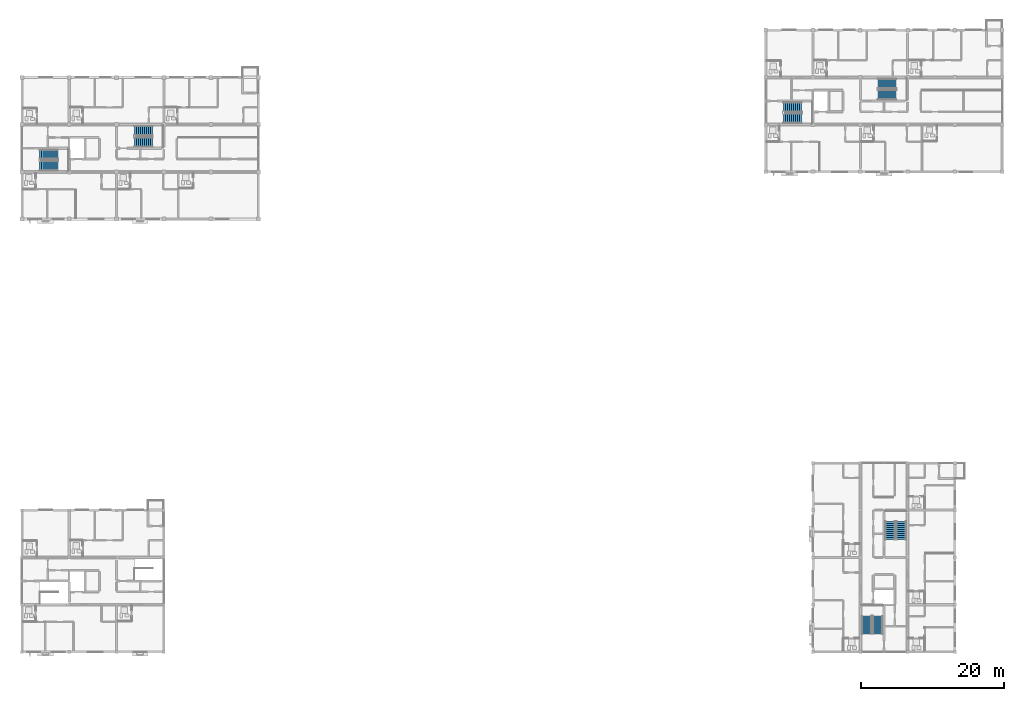
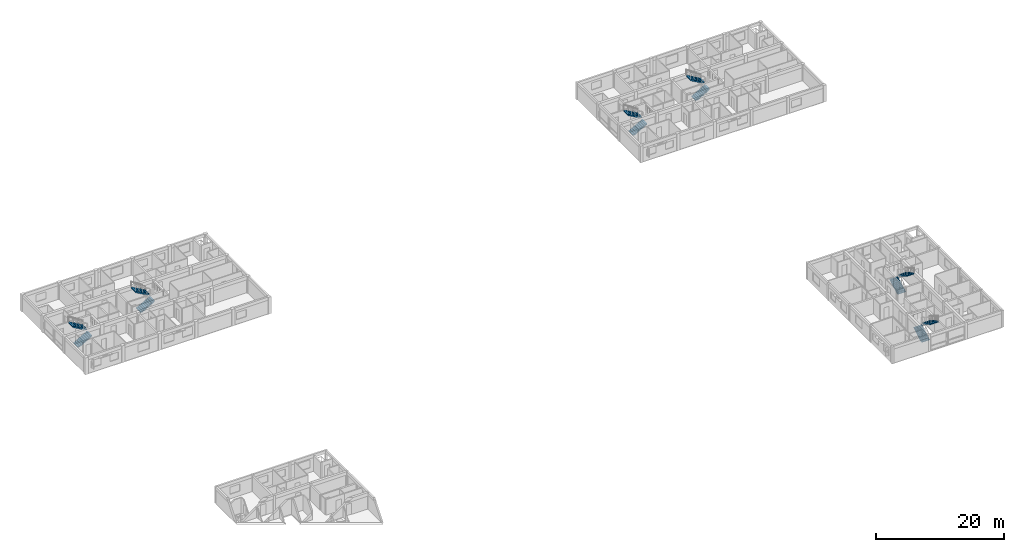
# One storey, part 39 of 49: 12 stair flights, 6 elements without a shape of their own.
"""IFC4 building model written with IfcOpenShell, lengths in metres."""

from ifc_helpers import new_model, si_unit, direction, frame, origin, place, context, subcontext, project, spatial, polyline, outline, extrude, material, type_object, element, aggregate, save


model = new_model("IFC4")

# Units and contexts
model_context = context("Model", 3, precision=1e-05, world=origin(), true_north=direction((0.0, 1.0)))
body_context = subcontext(model_context, "Body", "Model", "MODEL_VIEW")
ifc_project = project(units=[si_unit("LENGTHUNIT", "METRE"), si_unit("AREAUNIT", "SQUARE_METRE"), si_unit("VOLUMEUNIT", "CUBIC_METRE"), si_unit("PLANEANGLEUNIT", "RADIAN"), si_unit("MASSUNIT", "GRAM", prefix="KILO")], contexts=[model_context])

# Site, building, storey
site_placement = place(None, origin())
site = spatial("IfcSite", under=ifc_project, at=site_placement, CompositionType="ELEMENT")
building_placement = place(site_placement, origin())
building = spatial("IfcBuilding", under=site, at=building_placement, Name="Kernevlak Ridge Housing Community", CompositionType="ELEMENT")
storey_placement = place(building_placement, frame((0.0, 0.0, 30.800048828125)))
storey = spatial("IfcBuildingStorey", under=building, at=storey_placement, Name="L09", CompositionType="ELEMENT", Elevation=30.800048828125)

# Stair, stair flights
ifc_material = material(Name="Concrete C35/45", Category="concrete")
stair_type_1 = type_object("IfcStairType", Name="SR-01", PredefinedType="HALF_TURN_STAIR", material=ifc_material)
stair_1_placement = place(storey_placement, origin())
stair_1 = element("IfcStair", 1, at=stair_1_placement, inside=storey, type_object=stair_type_1, Name="Stair ST-B1 L09", PredefinedType="HALF_TURN_STAIR")
stair_flight_type_1 = type_object("IfcStairFlightType", Name="SF-01", PredefinedType="STRAIGHT", material=ifc_material)
stair_flight_1_placement = place(storey_placement, frame((121.8798828125, 90.06005859375, 0.0), z_axis=(0.0, 0.0, 1.0), x_axis=(1.0, 0.0, 0.0)))
stair_flight_1 = element("IfcStairFlight", 2, at=stair_flight_1_placement, type_object=stair_flight_type_1, Name="SR-01 flight 1", NumberOfRisers=10, NumberOfTreads=9, PredefinedType="STRAIGHT", RiserHeight=0.16, TreadLength=0.28, context=body_context, shape_type="SweptSolid", body=[
    extrude(outline(polyline([(0.0, 0.0), (0.0, 0.159912109375), (0.280029296875, 0.159912109375), (0.280029296875, 0.320068359375), (0.56005859375, 0.320068359375), (0.56005859375, 0.47998046875), (0.840087890625, 0.47998046875), (0.840087890625, 0.639892578125), (1.1201171875, 0.639892578125), (1.1201171875, 0.800048828125), (1.39990234375, 0.800048828125), (1.39990234375, 0.9599609375), (1.679931640625, 0.9599609375), (1.679931640625, 1.1201171875), (1.9599609375, 1.1201171875), (1.9599609375, 1.280029296875), (2.239990234375, 1.280029296875), (2.239990234375, 1.43994140625), (2.52001953125, 1.43994140625), (2.52001953125, 1.60009765625), (2.52001953125, 1.244384765625), (0.342529296875, 0.0), (0.0, 0.0)])), frame((0.0, 0.699951171875, 0.0), z_axis=(0.0, -1.0, 0.0), x_axis=(1.0, 0.0, 0.0)), (0.0, 0.0, 1.0), 1.39990234375),
])
stair_flight_2_placement = place(storey_placement, frame((124.39990234375, 91.639892578125, 1.599853515625), z_axis=(0.0, 0.0, 1.0), x_axis=(-1.0, 0.0, 0.0)))
stair_flight_2 = element("IfcStairFlight", 3, at=stair_flight_2_placement, type_object=stair_flight_type_1, Name="SR-01 flight 2", NumberOfRisers=10, NumberOfTreads=9, PredefinedType="STRAIGHT", RiserHeight=0.16, TreadLength=0.28, context=body_context, shape_type="SweptSolid", body=[
    extrude(outline(polyline([(0.0, 0.0), (0.0, 0.159912109375), (0.280029296875, 0.159912109375), (0.280029296875, 0.320068359375), (0.56005859375, 0.320068359375), (0.56005859375, 0.47998046875), (0.840087890625, 0.47998046875), (0.840087890625, 0.639892578125), (1.1201171875, 0.639892578125), (1.1201171875, 0.800048828125), (1.39990234375, 0.800048828125), (1.39990234375, 0.9599609375), (1.679931640625, 0.9599609375), (1.679931640625, 1.1201171875), (1.9599609375, 1.1201171875), (1.9599609375, 1.280029296875), (2.239990234375, 1.280029296875), (2.239990234375, 1.43994140625), (2.52001953125, 1.43994140625), (2.52001953125, 1.60009765625), (2.52001953125, 1.244384765625), (0.342529296875, 0.0), (0.0, 0.0)])), frame((0.0, 0.699951171875, 0.0), z_axis=(0.0, -1.0, 0.0), x_axis=(1.0, 0.0, 0.0)), (0.0, 0.0, 1.0), 1.39990234375),
])
aggregate(stair_1, [stair_flight_1, stair_flight_2])

stair_2_placement = place(storey_placement, origin())
stair_2 = element("IfcStair", 4, at=stair_2_placement, inside=storey, type_object=stair_type_1, Name="Stair ST-B2 L09", PredefinedType="HALF_TURN_STAIR")
stair_flight_3_placement = place(storey_placement, frame((135.080078125, 93.360107421875, 0.0), z_axis=(0.0, 0.0, 1.0), x_axis=(1.0, 0.0, 0.0)))
stair_flight_3 = element("IfcStairFlight", 5, at=stair_flight_3_placement, type_object=stair_flight_type_1, Name="SR-01 flight 1", NumberOfRisers=10, NumberOfTreads=9, PredefinedType="STRAIGHT", RiserHeight=0.16, TreadLength=0.28, context=body_context, shape_type="SweptSolid", body=[
    extrude(outline(polyline([(0.0, 0.0), (0.0, 0.159912109375), (0.280029296875, 0.159912109375), (0.280029296875, 0.320068359375), (0.56005859375, 0.320068359375), (0.56005859375, 0.47998046875), (0.840087890625, 0.47998046875), (0.840087890625, 0.639892578125), (1.1201171875, 0.639892578125), (1.1201171875, 0.800048828125), (1.39990234375, 0.800048828125), (1.39990234375, 0.9599609375), (1.679931640625, 0.9599609375), (1.679931640625, 1.1201171875), (1.9599609375, 1.1201171875), (1.9599609375, 1.280029296875), (2.239990234375, 1.280029296875), (2.239990234375, 1.43994140625), (2.52001953125, 1.43994140625), (2.52001953125, 1.60009765625), (2.52001953125, 1.244384765625), (0.342529296875, 0.0), (0.0, 0.0)])), frame((0.0, 0.699951171875, 0.0), z_axis=(0.0, -1.0, 0.0), x_axis=(1.0, 0.0, 0.0)), (0.0, 0.0, 1.0), 1.39990234375),
])
stair_flight_4_placement = place(storey_placement, frame((137.60009765625, 94.93994140625, 1.599853515625), z_axis=(0.0, 0.0, 1.0), x_axis=(-1.0, 0.0, 0.0)))
stair_flight_4 = element("IfcStairFlight", 6, at=stair_flight_4_placement, type_object=stair_flight_type_1, Name="SR-01 flight 2", NumberOfRisers=10, NumberOfTreads=9, PredefinedType="STRAIGHT", RiserHeight=0.16, TreadLength=0.28, context=body_context, shape_type="SweptSolid", body=[
    extrude(outline(polyline([(0.0, 0.0), (0.0, 0.159912109375), (0.280029296875, 0.159912109375), (0.280029296875, 0.320068359375), (0.56005859375, 0.320068359375), (0.56005859375, 0.47998046875), (0.840087890625, 0.47998046875), (0.840087890625, 0.639892578125), (1.1201171875, 0.639892578125), (1.1201171875, 0.800048828125), (1.39990234375, 0.800048828125), (1.39990234375, 0.9599609375), (1.679931640625, 0.9599609375), (1.679931640625, 1.1201171875), (1.9599609375, 1.1201171875), (1.9599609375, 1.280029296875), (2.239990234375, 1.280029296875), (2.239990234375, 1.43994140625), (2.52001953125, 1.43994140625), (2.52001953125, 1.60009765625), (2.52001953125, 1.244384765625), (0.342529296875, 0.0), (0.0, 0.0)])), frame((0.0, 0.699951171875, 0.0), z_axis=(0.0, -1.0, 0.0), x_axis=(1.0, 0.0, 0.0)), (0.0, 0.0, 1.0), 1.39990234375),
])
aggregate(stair_2, [stair_flight_3, stair_flight_4])

stair_type_2 = type_object("IfcStairType", Name="SR-06", PredefinedType="HALF_TURN_STAIR", material=ifc_material)
stair_3_placement = place(storey_placement, origin())
stair_3 = element("IfcStair", 7, at=stair_3_placement, inside=storey, type_object=stair_type_2, Name="Stair ST-A1 L09", PredefinedType="HALF_TURN_STAIR")
stair_flight_type_2 = type_object("IfcStairFlightType", Name="SF-06", PredefinedType="STRAIGHT", material=ifc_material)
stair_flight_5_placement = place(storey_placement, frame((18.080078125, 83.4599609375, 0.0), z_axis=(0.0, 0.0, 1.0), x_axis=(1.0, 0.0, 0.0)))
stair_flight_5 = element("IfcStairFlight", 8, at=stair_flight_5_placement, type_object=stair_flight_type_2, Name="SR-06 flight 1", NumberOfRisers=10, NumberOfTreads=9, PredefinedType="STRAIGHT", RiserHeight=0.16, TreadLength=0.28, context=body_context, shape_type="SweptSolid", body=[
    extrude(outline(polyline([(0.0, 0.0), (0.0, 0.159912109375), (0.280029296875, 0.159912109375), (0.280029296875, 0.320068359375), (0.56005859375, 0.320068359375), (0.56005859375, 0.47998046875), (0.840087890625, 0.47998046875), (0.840087890625, 0.639892578125), (1.1201171875, 0.639892578125), (1.1201171875, 0.800048828125), (1.39990234375, 0.800048828125), (1.39990234375, 0.9599609375), (1.679931640625, 0.9599609375), (1.679931640625, 1.1201171875), (1.9599609375, 1.1201171875), (1.9599609375, 1.280029296875), (2.239990234375, 1.280029296875), (2.239990234375, 1.43994140625), (2.52001953125, 1.43994140625), (2.52001953125, 1.60009765625), (2.52001953125, 1.244384765625), (0.342529296875, 0.0), (0.0, 0.0)])), frame((0.0, 0.719970703125, 0.0), z_axis=(0.0, -1.0, 0.0), x_axis=(1.0, 0.0, 0.0)), (0.0, 0.0, 1.0), 1.43994140625),
])
stair_flight_6_placement = place(storey_placement, frame((20.60009765625, 85.0400390625, 1.599853515625), z_axis=(0.0, 0.0, 1.0), x_axis=(-1.0, 0.0, 0.0)))
stair_flight_6 = element("IfcStairFlight", 9, at=stair_flight_6_placement, type_object=stair_flight_type_2, Name="SR-06 flight 2", NumberOfRisers=10, NumberOfTreads=9, PredefinedType="STRAIGHT", RiserHeight=0.16, TreadLength=0.28, context=body_context, shape_type="SweptSolid", body=[
    extrude(outline(polyline([(0.0, 0.0), (0.0, 0.159912109375), (0.280029296875, 0.159912109375), (0.280029296875, 0.320068359375), (0.56005859375, 0.320068359375), (0.56005859375, 0.47998046875), (0.840087890625, 0.47998046875), (0.840087890625, 0.639892578125), (1.1201171875, 0.639892578125), (1.1201171875, 0.800048828125), (1.39990234375, 0.800048828125), (1.39990234375, 0.9599609375), (1.679931640625, 0.9599609375), (1.679931640625, 1.1201171875), (1.9599609375, 1.1201171875), (1.9599609375, 1.280029296875), (2.239990234375, 1.280029296875), (2.239990234375, 1.43994140625), (2.52001953125, 1.43994140625), (2.52001953125, 1.60009765625), (2.52001953125, 1.244384765625), (0.342529296875, 0.0), (0.0, 0.0)])), frame((0.0, 0.719970703125, 0.0), z_axis=(0.0, -1.0, 0.0), x_axis=(1.0, 0.0, 0.0)), (0.0, 0.0, 1.0), 1.43994140625),
])
aggregate(stair_3, [stair_flight_5, stair_flight_6])

stair_4_placement = place(storey_placement, origin())
stair_4 = element("IfcStair", 10, at=stair_4_placement, inside=storey, type_object=stair_type_2, Name="Stair ST-A2 L09", PredefinedType="HALF_TURN_STAIR")
stair_flight_7_placement = place(storey_placement, frame((31.280029296875, 86.760009765625, 0.0), z_axis=(0.0, 0.0, 1.0), x_axis=(1.0, 0.0, 0.0)))
stair_flight_7 = element("IfcStairFlight", 11, at=stair_flight_7_placement, type_object=stair_flight_type_2, Name="SR-06 flight 1", NumberOfRisers=10, NumberOfTreads=9, PredefinedType="STRAIGHT", RiserHeight=0.16, TreadLength=0.28, context=body_context, shape_type="SweptSolid", body=[
    extrude(outline(polyline([(0.0, 0.0), (0.0, 0.159912109375), (0.280029296875, 0.159912109375), (0.280029296875, 0.320068359375), (0.56005859375, 0.320068359375), (0.56005859375, 0.47998046875), (0.840087890625, 0.47998046875), (0.840087890625, 0.639892578125), (1.1201171875, 0.639892578125), (1.1201171875, 0.800048828125), (1.39990234375, 0.800048828125), (1.39990234375, 0.9599609375), (1.679931640625, 0.9599609375), (1.679931640625, 1.1201171875), (1.9599609375, 1.1201171875), (1.9599609375, 1.280029296875), (2.239990234375, 1.280029296875), (2.239990234375, 1.43994140625), (2.52001953125, 1.43994140625), (2.52001953125, 1.60009765625), (2.52001953125, 1.244384765625), (0.342529296875, 0.0), (0.0, 0.0)])), frame((0.0, 0.719970703125, 0.0), z_axis=(0.0, -1.0, 0.0), x_axis=(1.0, 0.0, 0.0)), (0.0, 0.0, 1.0), 1.43994140625),
])
stair_flight_8_placement = place(storey_placement, frame((33.800048828125, 88.340087890625, 1.599853515625), z_axis=(0.0, 0.0, 1.0), x_axis=(-1.0, 0.0, 0.0)))
stair_flight_8 = element("IfcStairFlight", 12, at=stair_flight_8_placement, type_object=stair_flight_type_2, Name="SR-06 flight 2", NumberOfRisers=10, NumberOfTreads=9, PredefinedType="STRAIGHT", RiserHeight=0.16, TreadLength=0.28, context=body_context, shape_type="SweptSolid", body=[
    extrude(outline(polyline([(0.0, 0.0), (0.0, 0.159912109375), (0.280029296875, 0.159912109375), (0.280029296875, 0.320068359375), (0.56005859375, 0.320068359375), (0.56005859375, 0.47998046875), (0.840087890625, 0.47998046875), (0.840087890625, 0.639892578125), (1.1201171875, 0.639892578125), (1.1201171875, 0.800048828125), (1.39990234375, 0.800048828125), (1.39990234375, 0.9599609375), (1.679931640625, 0.9599609375), (1.679931640625, 1.1201171875), (1.9599609375, 1.1201171875), (1.9599609375, 1.280029296875), (2.239990234375, 1.280029296875), (2.239990234375, 1.43994140625), (2.52001953125, 1.43994140625), (2.52001953125, 1.60009765625), (2.52001953125, 1.244384765625), (0.342529296875, 0.0), (0.0, 0.0)])), frame((0.0, 0.719970703125, 0.0), z_axis=(0.0, -1.0, 0.0), x_axis=(1.0, 0.0, 0.0)), (0.0, 0.0, 1.0), 1.43994140625),
])
aggregate(stair_4, [stair_flight_7, stair_flight_8])

stair_5_placement = place(storey_placement, origin())
stair_5 = element("IfcStair", 13, at=stair_5_placement, inside=storey, type_object=stair_type_2, Name="Stair ST-C1 L09", PredefinedType="HALF_TURN_STAIR")
stair_flight_9_placement = place(storey_placement, frame((133.4599609375, 18.080078125, 0.0), z_axis=(0.0, 0.0, 1.0), x_axis=(0.0, 1.0, 0.0)))
stair_flight_9 = element("IfcStairFlight", 14, at=stair_flight_9_placement, type_object=stair_flight_type_2, Name="SR-06 flight 1", NumberOfRisers=10, NumberOfTreads=9, PredefinedType="STRAIGHT", RiserHeight=0.16, TreadLength=0.28, context=body_context, shape_type="SweptSolid", body=[
    extrude(outline(polyline([(0.0, 0.0), (0.0, 0.159912109375), (0.280029296875, 0.159912109375), (0.280029296875, 0.320068359375), (0.56005859375, 0.320068359375), (0.56005859375, 0.47998046875), (0.840087890625, 0.47998046875), (0.840087890625, 0.639892578125), (1.1201171875, 0.639892578125), (1.1201171875, 0.800048828125), (1.39990234375, 0.800048828125), (1.39990234375, 0.9599609375), (1.679931640625, 0.9599609375), (1.679931640625, 1.1201171875), (1.9599609375, 1.1201171875), (1.9599609375, 1.280029296875), (2.239990234375, 1.280029296875), (2.239990234375, 1.43994140625), (2.52001953125, 1.43994140625), (2.52001953125, 1.60009765625), (2.52001953125, 1.244384765625), (0.342529296875, 0.0), (0.0, 0.0)])), frame((0.0, 0.719970703125, 0.0), z_axis=(0.0, -1.0, 0.0), x_axis=(1.0, 0.0, 0.0)), (0.0, 0.0, 1.0), 1.43994140625),
])
stair_flight_10_placement = place(storey_placement, frame((135.0400390625, 20.60009765625, 1.599853515625), z_axis=(0.0, 0.0, 1.0), x_axis=(0.0, -1.0, 0.0)))
stair_flight_10 = element("IfcStairFlight", 15, at=stair_flight_10_placement, type_object=stair_flight_type_2, Name="SR-06 flight 2", NumberOfRisers=10, NumberOfTreads=9, PredefinedType="STRAIGHT", RiserHeight=0.16, TreadLength=0.28, context=body_context, shape_type="SweptSolid", body=[
    extrude(outline(polyline([(0.0, 0.0), (0.0, 0.159912109375), (0.280029296875, 0.159912109375), (0.280029296875, 0.320068359375), (0.56005859375, 0.320068359375), (0.56005859375, 0.47998046875), (0.840087890625, 0.47998046875), (0.840087890625, 0.639892578125), (1.1201171875, 0.639892578125), (1.1201171875, 0.800048828125), (1.39990234375, 0.800048828125), (1.39990234375, 0.9599609375), (1.679931640625, 0.9599609375), (1.679931640625, 1.1201171875), (1.9599609375, 1.1201171875), (1.9599609375, 1.280029296875), (2.239990234375, 1.280029296875), (2.239990234375, 1.43994140625), (2.52001953125, 1.43994140625), (2.52001953125, 1.60009765625), (2.52001953125, 1.244384765625), (0.342529296875, 0.0), (0.0, 0.0)])), frame((0.0, 0.719970703125, 0.0), z_axis=(0.0, -1.0, 0.0), x_axis=(1.0, 0.0, 0.0)), (0.0, 0.0, 1.0), 1.43994140625),
])
aggregate(stair_5, [stair_flight_9, stair_flight_10])

stair_6_placement = place(storey_placement, origin())
stair_6 = element("IfcStair", 16, at=stair_6_placement, inside=storey, type_object=stair_type_2, Name="Stair ST-C2 L09", PredefinedType="HALF_TURN_STAIR")
stair_flight_11_placement = place(storey_placement, frame((136.760009765625, 31.280029296875, 0.0), z_axis=(0.0, 0.0, 1.0), x_axis=(0.0, 1.0, 0.0)))
stair_flight_11 = element("IfcStairFlight", 17, at=stair_flight_11_placement, type_object=stair_flight_type_2, Name="SR-06 flight 1", NumberOfRisers=10, NumberOfTreads=9, PredefinedType="STRAIGHT", RiserHeight=0.16, TreadLength=0.28, context=body_context, shape_type="SweptSolid", body=[
    extrude(outline(polyline([(0.0, 0.0), (0.0, 0.159912109375), (0.280029296875, 0.159912109375), (0.280029296875, 0.320068359375), (0.56005859375, 0.320068359375), (0.56005859375, 0.47998046875), (0.840087890625, 0.47998046875), (0.840087890625, 0.639892578125), (1.1201171875, 0.639892578125), (1.1201171875, 0.800048828125), (1.39990234375, 0.800048828125), (1.39990234375, 0.9599609375), (1.679931640625, 0.9599609375), (1.679931640625, 1.1201171875), (1.9599609375, 1.1201171875), (1.9599609375, 1.280029296875), (2.239990234375, 1.280029296875), (2.239990234375, 1.43994140625), (2.52001953125, 1.43994140625), (2.52001953125, 1.60009765625), (2.52001953125, 1.244384765625), (0.342529296875, 0.0), (0.0, 0.0)])), frame((0.0, 0.719970703125, 0.0), z_axis=(0.0, -1.0, 0.0), x_axis=(1.0, 0.0, 0.0)), (0.0, 0.0, 1.0), 1.43994140625),
])
stair_flight_12_placement = place(storey_placement, frame((138.340087890625, 33.800048828125, 1.599853515625), z_axis=(0.0, 0.0, 1.0), x_axis=(0.0, -1.0, 0.0)))
stair_flight_12 = element("IfcStairFlight", 18, at=stair_flight_12_placement, type_object=stair_flight_type_2, Name="SR-06 flight 2", NumberOfRisers=10, NumberOfTreads=9, PredefinedType="STRAIGHT", RiserHeight=0.16, TreadLength=0.28, context=body_context, shape_type="SweptSolid", body=[
    extrude(outline(polyline([(0.0, 0.0), (0.0, 0.159912109375), (0.280029296875, 0.159912109375), (0.280029296875, 0.320068359375), (0.56005859375, 0.320068359375), (0.56005859375, 0.47998046875), (0.840087890625, 0.47998046875), (0.840087890625, 0.639892578125), (1.1201171875, 0.639892578125), (1.1201171875, 0.800048828125), (1.39990234375, 0.800048828125), (1.39990234375, 0.9599609375), (1.679931640625, 0.9599609375), (1.679931640625, 1.1201171875), (1.9599609375, 1.1201171875), (1.9599609375, 1.280029296875), (2.239990234375, 1.280029296875), (2.239990234375, 1.43994140625), (2.52001953125, 1.43994140625), (2.52001953125, 1.60009765625), (2.52001953125, 1.244384765625), (0.342529296875, 0.0), (0.0, 0.0)])), frame((0.0, 0.719970703125, 0.0), z_axis=(0.0, -1.0, 0.0), x_axis=(1.0, 0.0, 0.0)), (0.0, 0.0, 1.0), 1.43994140625),
])
aggregate(stair_6, [stair_flight_11, stair_flight_12])

save(model, "model.ifc")
